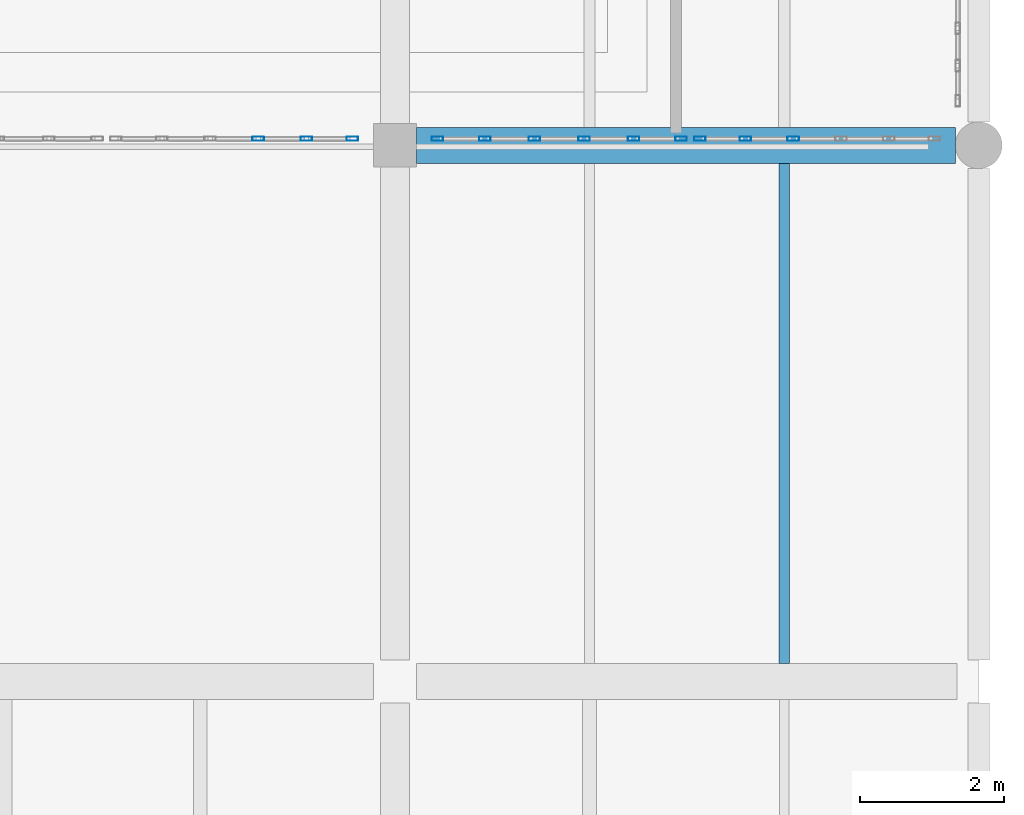
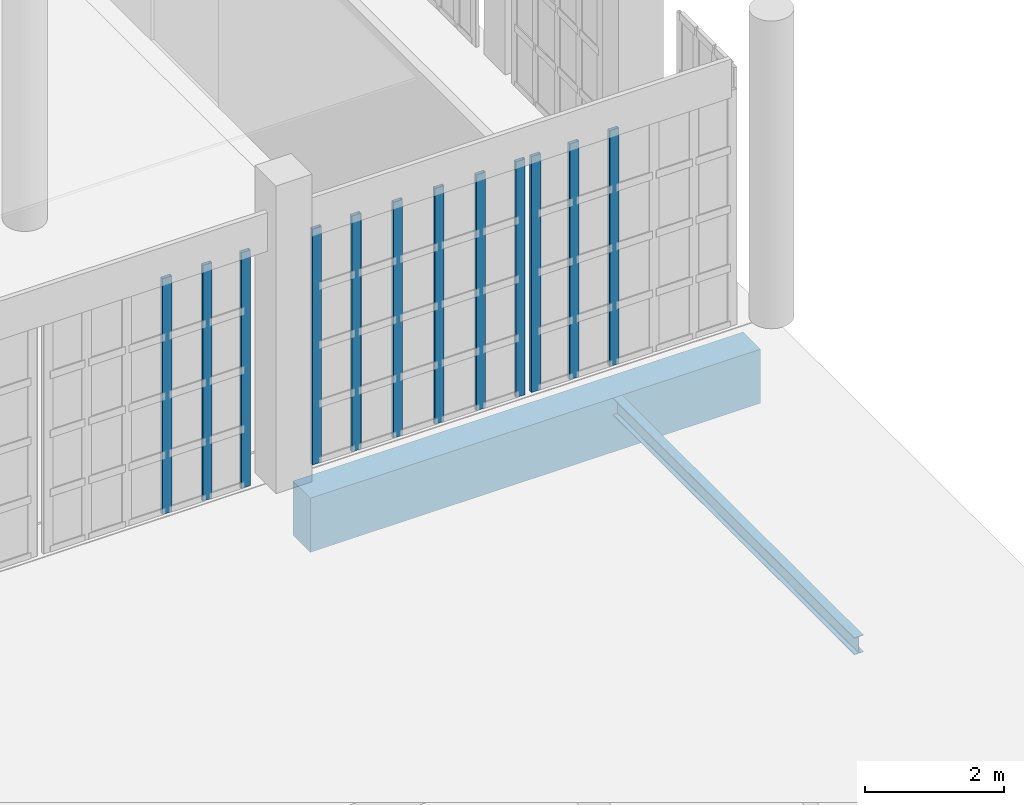
# One storey, part 268 of 372: 12 members, 2 beams, 3 elements without a shape of their own.
"""IFC4 building model written with IfcOpenShell, lengths in metres."""

from ifc_helpers import new_model, si_unit, direction, frame, origin, origin_2d, place, context, subcontext, project, spatial, rectangle, hollow_rectangle, i_section, extrude, material, material_profile, profile_set, type_object, element, aggregate, save


model = new_model("IFC4")

# Units and contexts
model_context = context("Model", 3, precision=1e-05, world=origin(), true_north=direction((0.0, 1.0)))
body_context = subcontext(model_context, "Body", "Model", "MODEL_VIEW")
ifc_project = project(units=[si_unit("LENGTHUNIT", "METRE"), si_unit("AREAUNIT", "SQUARE_METRE"), si_unit("VOLUMEUNIT", "CUBIC_METRE"), si_unit("PLANEANGLEUNIT", "RADIAN"), si_unit("MASSUNIT", "GRAM", prefix="KILO")], contexts=[model_context])

# Site, building, storey
site_placement = place(None, origin())
site = spatial("IfcSite", under=ifc_project, at=site_placement, CompositionType="ELEMENT")
building_placement = place(site_placement, origin())
building = spatial("IfcBuilding", under=site, at=building_placement, Name="Kaelora Sail Theatre", CompositionType="ELEMENT")
storey_placement = place(building_placement, origin())
storey = spatial("IfcBuildingStorey", under=building, at=storey_placement, Name="L00", CompositionType="ELEMENT", Elevation=0.0)

# Curtain wall, members
ifc_material_1 = material(Name="Anodised aluminium and solar-control low-E IGU", Category="aluminium")
curtain_wall_type = type_object("IfcCurtainWallType", Name="ARC-CW-CW-NWG", PredefinedType="NOTDEFINED", material=ifc_material_1)
curtain_wall_1_placement = place(storey_placement, origin())
curtain_wall_1 = element("IfcCurtainWall", 1, at=curtain_wall_1_placement, inside=storey, type_object=curtain_wall_type, Name="Glazed Foyer/Conservatory Curtain Wall COLE-S-L00-02", PredefinedType="NOTDEFINED")
ifc_material_2 = material(Name="Anodised aluminium 6063-T6", Category="aluminium")
ifc_material_profile_1 = material_profile(ifc_material_2, hollow_rectangle(XDim=0.06005859375, YDim=0.159912109375, WallThickness=0.00390625, InnerFilletRadius=0.00390625, OuterFilletRadius=0.008056640625, at=origin_2d()), Name="ALU-MULL 60x160x4")
ifc_profile_set_1 = profile_set([ifc_material_profile_1], Name="Anodised aluminium 6063-T6")
member_type = type_object("IfcMemberType", Name="ARC-MEM-ML-160", PredefinedType="MULLION", material=ifc_profile_set_1)
member_1_placement = place(storey_placement, frame((153.50390625, 31.35009765625, 0.0), z_axis=(0.0, 0.0, 1.0), x_axis=(0.0, 1.0, 0.0)))
member_1 = element("IfcMember", 2, at=member_1_placement, type_object=member_type, Name="CW-NWG mullion 4", PredefinedType="MULLION", context=body_context, shape_type="SweptSolid", body=[
    extrude(hollow_rectangle(XDim=0.06005859375, YDim=0.159912109375, WallThickness=0.00390625, InnerFilletRadius=0.00390625, OuterFilletRadius=0.008056640625, at=origin_2d()), origin(), (0.0, 0.0, 1.0), 4.136962890625),
])
member_2_placement = place(storey_placement, frame((154.172119140625, 31.35009765625, 0.0), z_axis=(0.0, 0.0, 1.0), x_axis=(0.0, 1.0, 0.0)))
member_2 = element("IfcMember", 3, at=member_2_placement, type_object=member_type, Name="CW-NWG mullion 5", PredefinedType="MULLION", context=body_context, shape_type="SweptSolid", body=[
    extrude(hollow_rectangle(XDim=0.06005859375, YDim=0.159912109375, WallThickness=0.00390625, InnerFilletRadius=0.00390625, OuterFilletRadius=0.008056640625, at=origin_2d()), origin(), (0.0, 0.0, 1.0), 4.136962890625),
])
member_3_placement = place(storey_placement, frame((154.81005859375, 31.35009765625, 0.0), z_axis=(0.0, 0.0, 1.0), x_axis=(0.0, 1.0, 0.0)))
member_3 = element("IfcMember", 4, at=member_3_placement, type_object=member_type, Name="CW-NWG mullion 6", PredefinedType="MULLION", context=body_context, shape_type="SweptSolid", body=[
    extrude(hollow_rectangle(XDim=0.06005859375, YDim=0.159912109375, WallThickness=0.00390625, InnerFilletRadius=0.00390625, OuterFilletRadius=0.008056640625, at=origin_2d()), origin(), (0.0, 0.0, 1.0), 4.136962890625),
])
aggregate(curtain_wall_1, [member_1, member_2, member_3])

curtain_wall_2_placement = place(storey_placement, origin())
curtain_wall_2 = element("IfcCurtainWall", 5, at=curtain_wall_2_placement, inside=storey, type_object=curtain_wall_type, Name="Glazed Foyer/Conservatory Curtain Wall COLE-S-L00-03", PredefinedType="NOTDEFINED")
member_4_placement = place(storey_placement, frame((155.989990234375, 31.35009765625, 0.0), z_axis=(0.0, 0.0, 1.0), x_axis=(0.0, 1.0, 0.0)))
member_4 = element("IfcMember", 6, at=member_4_placement, type_object=member_type, Name="CW-NWG mullion 1", PredefinedType="MULLION", context=body_context, shape_type="SweptSolid", body=[
    extrude(hollow_rectangle(XDim=0.06005859375, YDim=0.159912109375, WallThickness=0.00390625, InnerFilletRadius=0.00390625, OuterFilletRadius=0.008056640625, at=origin_2d()), origin(), (0.0, 0.0, 1.0), 4.136962890625),
])
member_5_placement = place(storey_placement, frame((156.64794921875, 31.35009765625, 0.0), z_axis=(0.0, 0.0, 1.0), x_axis=(0.0, 1.0, 0.0)))
member_5 = element("IfcMember", 7, at=member_5_placement, type_object=member_type, Name="CW-NWG mullion 2", PredefinedType="MULLION", context=body_context, shape_type="SweptSolid", body=[
    extrude(hollow_rectangle(XDim=0.06005859375, YDim=0.159912109375, WallThickness=0.00390625, InnerFilletRadius=0.00390625, OuterFilletRadius=0.008056640625, at=origin_2d()), origin(), (0.0, 0.0, 1.0), 4.136962890625),
])
member_6_placement = place(storey_placement, frame((157.3359375, 31.35009765625, 0.0), z_axis=(0.0, 0.0, 1.0), x_axis=(0.0, 1.0, 0.0)))
member_6 = element("IfcMember", 8, at=member_6_placement, type_object=member_type, Name="CW-NWG mullion 3", PredefinedType="MULLION", context=body_context, shape_type="SweptSolid", body=[
    extrude(hollow_rectangle(XDim=0.06005859375, YDim=0.159912109375, WallThickness=0.00390625, InnerFilletRadius=0.00390625, OuterFilletRadius=0.008056640625, at=origin_2d()), origin(), (0.0, 0.0, 1.0), 4.136962890625),
])
member_7_placement = place(storey_placement, frame((158.02392578125, 31.35009765625, 0.0), z_axis=(0.0, 0.0, 1.0), x_axis=(0.0, 1.0, 0.0)))
member_7 = element("IfcMember", 9, at=member_7_placement, type_object=member_type, Name="CW-NWG mullion 4", PredefinedType="MULLION", context=body_context, shape_type="SweptSolid", body=[
    extrude(hollow_rectangle(XDim=0.06005859375, YDim=0.159912109375, WallThickness=0.00390625, InnerFilletRadius=0.00390625, OuterFilletRadius=0.008056640625, at=origin_2d()), origin(), (0.0, 0.0, 1.0), 4.136962890625),
])
member_8_placement = place(storey_placement, frame((158.7119140625, 31.35009765625, 0.0), z_axis=(0.0, 0.0, 1.0), x_axis=(0.0, 1.0, 0.0)))
member_8 = element("IfcMember", 10, at=member_8_placement, type_object=member_type, Name="CW-NWG mullion 5", PredefinedType="MULLION", context=body_context, shape_type="SweptSolid", body=[
    extrude(hollow_rectangle(XDim=0.06005859375, YDim=0.159912109375, WallThickness=0.00390625, InnerFilletRadius=0.00390625, OuterFilletRadius=0.008056640625, at=origin_2d()), origin(), (0.0, 0.0, 1.0), 4.136962890625),
])
member_9_placement = place(storey_placement, frame((159.3701171875, 31.35009765625, 0.0), z_axis=(0.0, 0.0, 1.0), x_axis=(0.0, 1.0, 0.0)))
member_9 = element("IfcMember", 11, at=member_9_placement, type_object=member_type, Name="CW-NWG mullion 6", PredefinedType="MULLION", context=body_context, shape_type="SweptSolid", body=[
    extrude(hollow_rectangle(XDim=0.06005859375, YDim=0.159912109375, WallThickness=0.00390625, InnerFilletRadius=0.00390625, OuterFilletRadius=0.008056640625, at=origin_2d()), origin(), (0.0, 0.0, 1.0), 4.136962890625),
])
aggregate(curtain_wall_2, [member_4, member_5, member_6, member_7, member_8, member_9])

curtain_wall_3_placement = place(storey_placement, origin())
curtain_wall_3 = element("IfcCurtainWall", 12, at=curtain_wall_3_placement, inside=storey, type_object=curtain_wall_type, Name="Glazed Foyer/Conservatory Curtain Wall COLE-S-L00-04", PredefinedType="NOTDEFINED")
member_10_placement = place(storey_placement, frame((159.6298828125, 31.35009765625, 0.0), z_axis=(0.0, 0.0, 1.0), x_axis=(0.0, 1.0, 0.0)))
member_10 = element("IfcMember", 13, at=member_10_placement, type_object=member_type, Name="CW-NWG mullion 1", PredefinedType="MULLION", context=body_context, shape_type="SweptSolid", body=[
    extrude(hollow_rectangle(XDim=0.06005859375, YDim=0.159912109375, WallThickness=0.00390625, InnerFilletRadius=0.00390625, OuterFilletRadius=0.008056640625, at=origin_2d()), origin(), (0.0, 0.0, 1.0), 4.136962890625),
])
member_11_placement = place(storey_placement, frame((160.262939453125, 31.35009765625, 0.0), z_axis=(0.0, 0.0, 1.0), x_axis=(0.0, 1.0, 0.0)))
member_11 = element("IfcMember", 14, at=member_11_placement, type_object=member_type, Name="CW-NWG mullion 2", PredefinedType="MULLION", context=body_context, shape_type="SweptSolid", body=[
    extrude(hollow_rectangle(XDim=0.06005859375, YDim=0.159912109375, WallThickness=0.00390625, InnerFilletRadius=0.00390625, OuterFilletRadius=0.008056640625, at=origin_2d()), origin(), (0.0, 0.0, 1.0), 4.136962890625),
])
member_12_placement = place(storey_placement, frame((160.926025390625, 31.35009765625, 0.0), z_axis=(0.0, 0.0, 1.0), x_axis=(0.0, 1.0, 0.0)))
member_12 = element("IfcMember", 15, at=member_12_placement, type_object=member_type, Name="CW-NWG mullion 3", PredefinedType="MULLION", context=body_context, shape_type="SweptSolid", body=[
    extrude(hollow_rectangle(XDim=0.06005859375, YDim=0.159912109375, WallThickness=0.00390625, InnerFilletRadius=0.00390625, OuterFilletRadius=0.008056640625, at=origin_2d()), origin(), (0.0, 0.0, 1.0), 4.136962890625),
])
aggregate(curtain_wall_3, [member_10, member_11, member_12])

# Beams
ifc_material_3 = material(Name="Concrete C45/55", Category="concrete")
ifc_material_profile_2 = material_profile(ifc_material_3, rectangle(XDim=0.5, YDim=0.949951171875, at=origin_2d()), Name="RC-GRD 500x950")
ifc_profile_set_2 = profile_set([ifc_material_profile_2], Name="Concrete C45/55")
beam_type_1 = type_object("IfcBeamType", Name="STR-BM-GR-RC5095", PredefinedType="T_BEAM", material=ifc_profile_set_2)
beam_1_placement = place(storey_placement, frame((155.699951171875, 31.260009765625, -0.794921875), z_axis=(1.0, 0.0, 0.0), x_axis=(0.0, 1.0, 0.0)))
element("IfcBeam", 16, at=beam_1_placement, inside=storey, type_object=beam_type_1, Name="Primary beam E 20-21 (L00)", PredefinedType="T_BEAM", context=body_context, shape_type="SweptSolid", body=[
    extrude(rectangle(XDim=0.5, YDim=0.949951171875, at=origin_2d()), origin(), (0.0, 0.0, 1.0), 7.47509765625),
])
ifc_material_4 = material(Name="Steel S355", Category="steel")
ifc_material_profile_3 = material_profile(ifc_material_4, i_section(OverallWidth=0.14990234375, OverallDepth=0.300048828125, WebThickness=0.007080078125, FlangeThickness=0.0107421875, FilletRadius=0.014892578125, at=origin_2d()), Name="IPE 300")
ifc_profile_set_3 = profile_set([ifc_material_profile_3], Name="Steel S355")
beam_type_2 = type_object("IfcBeamType", Name="STR-BM-JS-IPE300", PredefinedType="JOIST", material=ifc_profile_set_3)
beam_2_placement = place(storey_placement, frame((160.800048828125, 24.070068359375, -0.469970703125), z_axis=(0.0, 1.0, 0.0), x_axis=(-1.0, 0.0, 0.0)))
element("IfcBeam", 17, at=beam_2_placement, inside=storey, type_object=beam_type_2, Name="Secondary floor joist 20/D-2 (L00)", PredefinedType="JOIST", context=body_context, shape_type="SweptSolid", body=[
    extrude(i_section(OverallWidth=0.14990234375, OverallDepth=0.300048828125, WebThickness=0.007080078125, FlangeThickness=0.0107421875, FilletRadius=0.014892578125, at=origin_2d()), origin(), (0.0, 0.0, 1.0), 6.93994140625),
])

save(model, "model.ifc")
